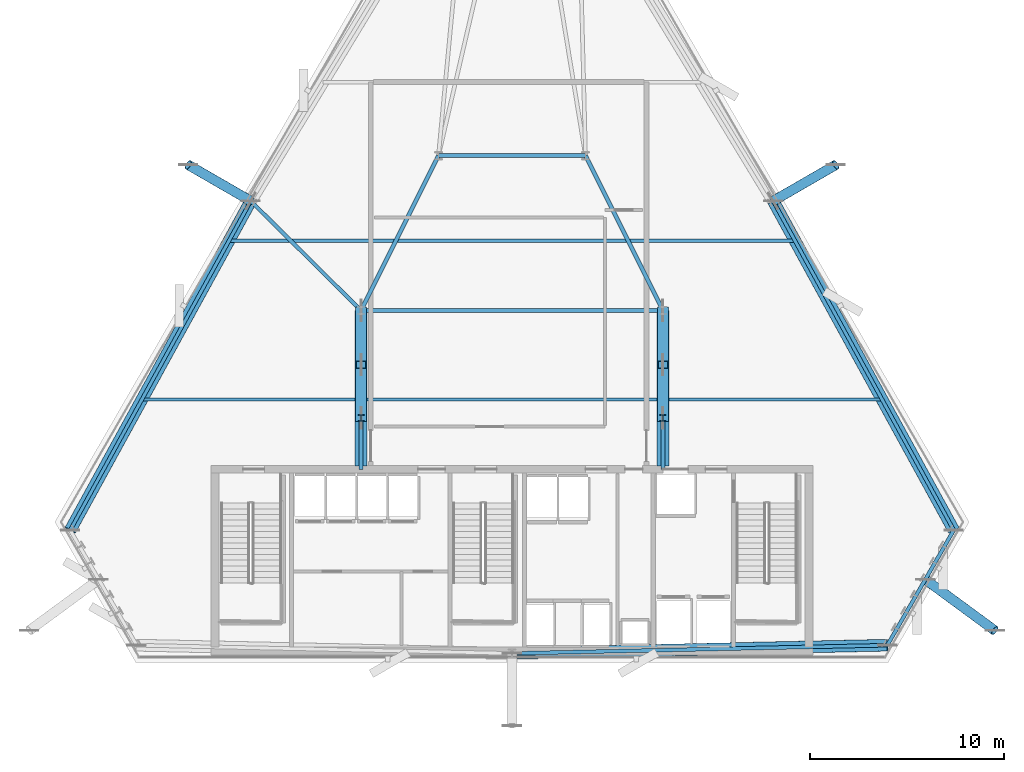
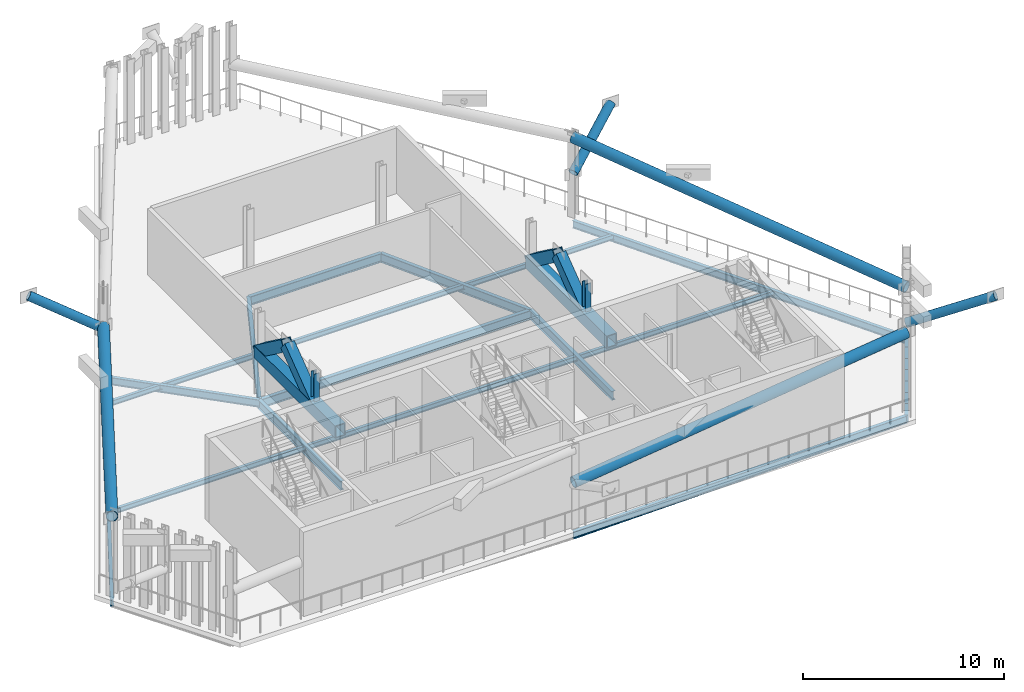
# One storey, part 2 of 11: 19 beams, 14 members.
"""IFC4 building model written with IfcOpenShell, lengths in metres."""

from ifc_helpers import new_model, si_unit, direction, frame, origin, origin_2d, place, context, subcontext, project, spatial, hollow_rectangle, hollow_circle, i_section, extrude, material, material_profile, profile_set, type_object, element, save


model = new_model("IFC4")

# Units and contexts
model_context = context("Model", 3, precision=1e-05, world=origin(), true_north=direction((0.0, 1.0)))
body_context = subcontext(model_context, "Body", "Model", "MODEL_VIEW")
ifc_project = project(units=[si_unit("LENGTHUNIT", "METRE"), si_unit("AREAUNIT", "SQUARE_METRE"), si_unit("VOLUMEUNIT", "CUBIC_METRE"), si_unit("PLANEANGLEUNIT", "RADIAN"), si_unit("MASSUNIT", "GRAM", prefix="KILO")], contexts=[model_context])

# Site, building, storey
site_placement = place(None, origin())
site = spatial("IfcSite", under=ifc_project, at=site_placement, CompositionType="ELEMENT")
building_placement = place(site_placement, origin())
building = spatial("IfcBuilding", under=site, at=building_placement, Name="Ndaravel Arena Tower", CompositionType="ELEMENT")
storey_placement = place(building_placement, frame((0.0, 0.0, 203.0)))
storey = spatial("IfcBuildingStorey", under=building, at=storey_placement, Name="L49", CompositionType="ELEMENT", Elevation=203.0)

# Beams
ifc_material_1 = material(Name="Steel S355", Category="steel")
ifc_material_profile_1 = material_profile(ifc_material_1, i_section(OverallWidth=0.19140625, OverallDepth=0.4599609375, WebThickness=0.010009765625, FlangeThickness=0.01611328125, FilletRadius=0.01025390625, at=origin_2d()), Name="UB 457x191x82")
ifc_profile_set_1 = profile_set([ifc_material_profile_1], Name="Steel S355")
beam_type_1 = type_object("IfcBeamType", Name="BM-GIRD-UB457", PredefinedType="BEAM", material=ifc_profile_set_1)
beam_1_placement = place(storey_placement, frame((28.502197265625, 28.858642578125, -0.510009765625), z_axis=(0.709534802511, -0.70467039389, 0.0), x_axis=(0.70467039389, 0.709534802511, 0.0)))
element("IfcBeam", 1, at=beam_1_placement, inside=storey, type_object=beam_type_1, Name="L49 Radial Floor Girder FG-19", PredefinedType="BEAM", context=body_context, shape_type="SweptSolid", body=[
    extrude(i_section(OverallWidth=0.19140625, OverallDepth=0.4599609375, WebThickness=0.010009765625, FlangeThickness=0.01611328125, FilletRadius=0.01025390625, at=origin_2d()), origin(), (0.0, 0.0, 1.0), 8.0302734375),
])
ifc_material_2 = material(Name="Steel S355", Category="steel")
ifc_material_profile_2 = material_profile(ifc_material_2, i_section(OverallWidth=0.210693359375, OverallDepth=0.53955078125, WebThickness=0.01171875, FlangeThickness=0.018798828125, FilletRadius=0.0126953125, at=origin_2d()), Name="UB 533x210x109")
ifc_profile_set_2 = profile_set([ifc_material_profile_2], Name="Steel S355")
beam_type_2 = type_object("IfcBeamType", Name="BM-GIRD-UB533", PredefinedType="BEAM", material=ifc_profile_set_2)
for number, where, z_axis, x_axis, name in (
    (2, (34.199951171875, 14.97998046875, -0.5498046875), (0.0, 1.0, 0.0), (-1.0, 0.0, 0.0), "L49 Spine Link Girder SLG-01"),
    (3, (49.800048828125, 14.97998046875, -0.5498046875), (0.0, 1.0, 0.0), (-1.0, 0.0, 0.0), "L49 Spine Link Girder SLG-02"),
):
    element("IfcBeam", number, at=place(storey_placement, frame(where, z_axis=z_axis, x_axis=x_axis)), inside=storey, type_object=beam_type_2, Name=name, PredefinedType="BEAM", context=body_context, shape_type="SweptSolid", body=[
        extrude(i_section(OverallWidth=0.210693359375, OverallDepth=0.53955078125, WebThickness=0.01171875, FlangeThickness=0.018798828125, FilletRadius=0.0126953125, at=origin_2d()), origin(), (0.0, 0.0, 1.0), 8.219970703125),
    ])
beam_2_placement = place(storey_placement, frame((34.199951171875, 23.199951171875, -0.5498046875), z_axis=(1.0, 0.0, 0.0), x_axis=(0.0, 1.0, 0.0)))
element("IfcBeam", 4, at=beam_2_placement, inside=storey, type_object=beam_type_2, Name="L49 Spine Link Girder SLG-03", PredefinedType="BEAM", context=body_context, shape_type="SweptSolid", body=[
    extrude(i_section(OverallWidth=0.210693359375, OverallDepth=0.53955078125, WebThickness=0.01171875, FlangeThickness=0.018798828125, FilletRadius=0.0126953125, at=origin_2d()), origin(), (0.0, 0.0, 1.0), 15.60009765625),
])
for number, where, z_axis, x_axis, name in (
    (5, (34.199951171875, 23.199951171875, -0.5498046875), (0.4472135955, 0.894427191, 0.0), (-0.894427191, 0.4472135955, 0.0), "L49 Spine Link Girder SLG-04"),
    (6, (49.800048828125, 23.199951171875, -0.5498046875), (-0.4472135955, 0.894427191, 0.0), (-0.894427191, -0.4472135955, 0.0), "L49 Spine Link Girder SLG-05"),
):
    element("IfcBeam", number, at=place(storey_placement, frame(where, z_axis=z_axis, x_axis=x_axis)), inside=storey, type_object=beam_type_2, Name=name, PredefinedType="BEAM", context=body_context, shape_type="SweptSolid", body=[
        extrude(i_section(OverallWidth=0.210693359375, OverallDepth=0.53955078125, WebThickness=0.01171875, FlangeThickness=0.018798828125, FilletRadius=0.0126953125, at=origin_2d()), origin(), (0.0, 0.0, 1.0), 8.9443359375),
    ])
beam_3_placement = place(storey_placement, frame((38.199951171875, 31.199951171875, -0.5498046875), z_axis=(1.0, 0.0, 0.0), x_axis=(0.0, 1.0, 0.0)))
element("IfcBeam", 7, at=beam_3_placement, inside=storey, type_object=beam_type_2, Name="L49 Spine Link Girder SLG-06", PredefinedType="BEAM", context=body_context, shape_type="SweptSolid", body=[
    extrude(i_section(OverallWidth=0.210693359375, OverallDepth=0.53955078125, WebThickness=0.01171875, FlangeThickness=0.018798828125, FilletRadius=0.0126953125, at=origin_2d()), origin(), (0.0, 0.0, 1.0), 7.60009765625),
])
ifc_material_3 = material(Name="Steel S355", Category="steel")
ifc_material_profile_3 = material_profile(ifc_material_3, i_section(OverallWidth=0.165771484375, OverallDepth=0.306640625, WebThickness=0.006591796875, FlangeThickness=0.01171875, FilletRadius=0.0087890625, at=origin_2d()), Name="UB 305x165x46")
ifc_profile_set_3 = profile_set([ifc_material_profile_3], Name="Steel S355")
beam_type_3 = type_object("IfcBeamType", Name="BM-JOIST-UB305", PredefinedType="JOIST", material=ifc_profile_set_3)
beam_4_placement = place(storey_placement, frame((22.875, 18.60009765625, -0.433349609375), z_axis=(1.0, 0.0, 0.0), x_axis=(0.0, 1.0, 0.0)))
element("IfcBeam", 8, at=beam_4_placement, inside=storey, type_object=beam_type_3, Name="L49 Composite Floor Joist FJ-01", PredefinedType="JOIST", context=body_context, shape_type="SweptSolid", body=[
    extrude(i_section(OverallWidth=0.165771484375, OverallDepth=0.306640625, WebThickness=0.006591796875, FlangeThickness=0.01171875, FilletRadius=0.0087890625, at=origin_2d()), origin(), (0.0, 0.0, 1.0), 38.25),
])
beam_5_placement = place(storey_placement, frame((27.373046875, 26.800048828125, -0.433349609375), z_axis=(1.0, 0.0, 0.0), x_axis=(0.0, 1.0, 0.0)))
element("IfcBeam", 9, at=beam_5_placement, inside=storey, type_object=beam_type_3, Name="L49 Composite Floor Joist FJ-02", PredefinedType="JOIST", context=body_context, shape_type="SweptSolid", body=[
    extrude(i_section(OverallWidth=0.165771484375, OverallDepth=0.306640625, WebThickness=0.006591796875, FlangeThickness=0.01171875, FilletRadius=0.0087890625, at=origin_2d()), origin(), (0.0, 0.0, 1.0), 29.25390625),
])
ifc_material_4 = material(Name="Steel S355", Category="steel")
ifc_material_profile_4 = material_profile(ifc_material_4, i_section(OverallWidth=0.18994140625, OverallDepth=0.449951171875, WebThickness=0.009521484375, FlangeThickness=0.0146484375, FilletRadius=0.02099609375, at=origin_2d()), Name="IPE 450")
ifc_profile_set_4 = profile_set([ifc_material_profile_4], Name="Steel S355")
beam_type_4 = type_object("IfcBeamType", Name="BM-SPAN-IPE450", PredefinedType="SPANDREL", material=ifc_profile_set_4)
beam_6_placement = place(storey_placement, frame((42.0, 5.47998046875, -0.5048828125), z_axis=(0.99976055023, 0.021882463365, 0.0), x_axis=(-0.021882463365, 0.99976055023, 0.0)))
element("IfcBeam", 10, at=beam_6_placement, inside=storey, type_object=beam_type_4, Name="L49 Perimeter Spandrel Beam SP-01", PredefinedType="SPANDREL", context=body_context, shape_type="SweptSolid", body=[
    extrude(i_section(OverallWidth=0.18994140625, OverallDepth=0.449951171875, WebThickness=0.009521484375, FlangeThickness=0.0146484375, FilletRadius=0.02099609375, at=origin_2d()), origin(), (0.0, 0.0, 1.0), 19.40185546875),
])
for number, where, z_axis, x_axis, name in (
    (11, (61.397216796875, 5.904541015625, -0.5048828125), (0.499808686542, 0.866135830489, 0.0), (-0.866135830489, 0.499808686542, 0.0), "L49 Perimeter Spandrel Beam SP-02"),
    (12, (61.88720703125, 6.753662109375, -0.5048828125), (0.499995473844, 0.866028016946, 0.0), (-0.866028016946, 0.499995473844, 0.0), "L49 Perimeter Spandrel Beam SP-03"),
    (13, (62.37744140625, 7.602783203125, -0.5048828125), (0.499995473844, 0.866028016946, 0.0), (-0.866028016946, 0.499995473844, 0.0), "L49 Perimeter Spandrel Beam SP-04"),
):
    element("IfcBeam", number, at=place(storey_placement, frame(where, z_axis=z_axis, x_axis=x_axis)), inside=storey, type_object=beam_type_4, Name=name, PredefinedType="SPANDREL", context=body_context, shape_type="SweptSolid", body=[
        extrude(i_section(OverallWidth=0.18994140625, OverallDepth=0.449951171875, WebThickness=0.009521484375, FlangeThickness=0.0146484375, FilletRadius=0.02099609375, at=origin_2d()), origin(), (0.0, 0.0, 1.0), 0.98046875),
    ])
beam_7_placement = place(storey_placement, frame((62.86767578125, 8.451904296875, -0.5048828125), z_axis=(0.500103313483, 0.8659657475, 0.0), x_axis=(-0.8659657475, 0.500103313483, 0.0)))
element("IfcBeam", 14, at=beam_7_placement, inside=storey, type_object=beam_type_4, Name="L49 Perimeter Spandrel Beam SP-05", PredefinedType="SPANDREL", context=body_context, shape_type="SweptSolid", body=[
    extrude(i_section(OverallWidth=0.18994140625, OverallDepth=0.449951171875, WebThickness=0.009521484375, FlangeThickness=0.0146484375, FilletRadius=0.02099609375, at=origin_2d()), origin(), (0.0, 0.0, 1.0), 0.980224609375),
])
for number, where, z_axis, x_axis, name in (
    (15, (63.35791015625, 9.30078125, -0.5048828125), (0.499995473844, 0.866028016946, 0.0), (-0.866028016946, 0.499995473844, 0.0), "L49 Perimeter Spandrel Beam SP-06"),
    (16, (63.84814453125, 10.14990234375, -0.5048828125), (0.499995473844, 0.866028016946, 0.0), (-0.866028016946, 0.499995473844, 0.0), "L49 Perimeter Spandrel Beam SP-07"),
    (17, (64.33837890625, 10.9990234375, -0.5048828125), (0.499995473844, 0.866028016946, 0.0), (-0.866028016946, 0.499995473844, 0.0), "L49 Perimeter Spandrel Beam SP-08"),
):
    element("IfcBeam", number, at=place(storey_placement, frame(where, z_axis=z_axis, x_axis=x_axis)), inside=storey, type_object=beam_type_4, Name=name, PredefinedType="SPANDREL", context=body_context, shape_type="SweptSolid", body=[
        extrude(i_section(OverallWidth=0.18994140625, OverallDepth=0.449951171875, WebThickness=0.009521484375, FlangeThickness=0.0146484375, FilletRadius=0.02099609375, at=origin_2d()), origin(), (0.0, 0.0, 1.0), 0.98046875),
    ])
for number, where, z_axis, x_axis, name in (
    (18, (64.82861328125, 11.84814453125, -0.5048828125), (-0.480930598805, 0.876758666415, 0.0), (-0.876758666415, -0.480930598805, 0.0), "L49 Perimeter Spandrel Beam SP-09"),
    (19, (28.502197265625, 28.858642578125, -0.5048828125), (-0.480930598805, -0.876758666415, 0.0), (0.876758666415, -0.480930598805, 0.0), "L49 Perimeter Spandrel Beam SP-19"),
):
    element("IfcBeam", number, at=place(storey_placement, frame(where, z_axis=z_axis, x_axis=x_axis)), inside=storey, type_object=beam_type_4, Name=name, PredefinedType="SPANDREL", context=body_context, shape_type="SweptSolid", body=[
        extrude(i_section(OverallWidth=0.18994140625, OverallDepth=0.449951171875, WebThickness=0.009521484375, FlangeThickness=0.0146484375, FilletRadius=0.02099609375, at=origin_2d()), origin(), (0.0, 0.0, 1.0), 19.401611328125),
    ])

# Members
ifc_material_5 = material(Name="Steel S460", Category="steel")
ifc_material_profile_5 = material_profile(ifc_material_5, hollow_circle(Radius=0.304931640625, WallThickness=0.030029296875, at=origin_2d()), Name="CHS 610x30")
ifc_profile_set_5 = profile_set([ifc_material_profile_5], Name="Steel S460")
member_type_1 = type_object("IfcMemberType", Name="MEM-BT-DIAG1", PredefinedType="BRACE", material=ifc_profile_set_5)
member_1_placement = place(storey_placement, frame((42.0, 5.47998046875, 2.679931640625), z_axis=(0.994172182073, 0.021760146815, 0.105584887192), x_axis=(-0.021882463365, 0.99976055023, 0.0)))
element("IfcMember", 20, at=member_1_placement, inside=storey, type_object=member_type_1, Name="Belt Truss BT-2 Diagonal 01", PredefinedType="BRACE", context=body_context, shape_type="SweptSolid", body=[
    extrude(hollow_circle(Radius=0.304931640625, WallThickness=0.030029296875, at=origin_2d()), origin(), (0.0, 0.0, 1.0), 19.510986328125),
])
for number, where, z_axis, x_axis, name in (
    (21, (64.82861328125, 11.84814453125, 2.679931640625), (-0.478242258527, 0.871857698078, 0.105586440709), (-0.876758666415, -0.480930598805, 0.0), "Belt Truss BT-2 Diagonal 09"),
    (22, (28.502197265625, 28.858642578125, 2.679931640625), (-0.478242258527, -0.871857698078, 0.105586440709), (0.876758666415, -0.480930598805, 0.0), "Belt Truss BT-2 Diagonal 19"),
):
    element("IfcMember", number, at=place(storey_placement, frame(where, z_axis=z_axis, x_axis=x_axis)), inside=storey, type_object=member_type_1, Name=name, PredefinedType="BRACE", context=body_context, shape_type="SweptSolid", body=[
        extrude(hollow_circle(Radius=0.304931640625, WallThickness=0.030029296875, at=origin_2d()), origin(), (0.0, 0.0, 1.0), 19.5107421875),
    ])
ifc_material_6 = material(Name="Steel S460", Category="steel")
ifc_material_profile_6 = material_profile(ifc_material_6, hollow_rectangle(XDim=0.60009765625, YDim=0.75, WallThickness=0.044921875, at=origin_2d()), Name="BOX 750x600x45")
ifc_profile_set_6 = profile_set([ifc_material_profile_6], Name="Steel S460")
member_type_2 = type_object("IfcMemberType", Name="MEM-OT-CHORD", PredefinedType="CHORD", material=ifc_profile_set_6)
for number, where, z_axis, x_axis, name in (
    (23, (34.199951171875, 15.159912109375, 2.679931640625), (0.0, 1.0, 0.0), (-1.0, 0.0, 0.0), "Outrigger Truss OT-2.1 Bottom Chord"),
    (24, (49.800048828125, 15.159912109375, 2.679931640625), (0.0, 1.0, 0.0), (-1.0, 0.0, 0.0), "Outrigger Truss OT-2.2 Bottom Chord"),
):
    element("IfcMember", number, at=place(storey_placement, frame(where, z_axis=z_axis, x_axis=x_axis)), inside=storey, type_object=member_type_2, Name=name, PredefinedType="CHORD", context=body_context, shape_type="SweptSolid", body=[
        extrude(hollow_rectangle(XDim=0.60009765625, YDim=0.75, WallThickness=0.044921875, at=origin_2d()), origin(), (0.0, 0.0, 1.0), 8.0400390625),
    ])
ifc_material_7 = material(Name="Steel S460", Category="steel")
ifc_material_profile_7 = material_profile(ifc_material_7, hollow_rectangle(XDim=0.550048828125, YDim=0.64990234375, WallThickness=0.0400390625, at=origin_2d()), Name="BOX 650x550x40")
ifc_profile_set_7 = profile_set([ifc_material_profile_7], Name="Steel S460")
member_type_3 = type_object("IfcMemberType", Name="MEM-OT-DIAG", PredefinedType="BRACE", material=ifc_profile_set_7)
member_2_placement = place(storey_placement, frame((34.199951171875, 17.64990234375, 2.679931640625), z_axis=(0.0, 0.800340925129, 0.599545163906), x_axis=(-1.0, 0.0, 0.0)))
element("IfcMember", 25, at=member_2_placement, inside=storey, type_object=member_type_3, Name="Outrigger Truss OT-2.1 Diagonal 1", PredefinedType="BRACE", context=body_context, shape_type="SweptSolid", body=[
    extrude(hollow_rectangle(XDim=0.550048828125, YDim=0.64990234375, WallThickness=0.0400390625, at=origin_2d()), origin(), (0.0, 0.0, 1.0), 3.43603515625),
])
member_3_placement = place(storey_placement, frame((34.199951171875, 20.39990234375, 4.739990234375), z_axis=(0.0, 0.80548634539, -0.592614332758), x_axis=(-1.0, 0.0, 0.0)))
element("IfcMember", 26, at=member_3_placement, inside=storey, type_object=member_type_3, Name="Outrigger Truss OT-2.1 Diagonal 2", PredefinedType="BRACE", context=body_context, shape_type="SweptSolid", body=[
    extrude(hollow_rectangle(XDim=0.550048828125, YDim=0.64990234375, WallThickness=0.0400390625, at=origin_2d()), origin(), (0.0, 0.0, 1.0), 3.476318359375),
])
member_4_placement = place(storey_placement, frame((49.800048828125, 17.64990234375, 2.679931640625), z_axis=(0.0, 0.800340925129, 0.599545163906), x_axis=(-1.0, 0.0, 0.0)))
element("IfcMember", 27, at=member_4_placement, inside=storey, type_object=member_type_3, Name="Outrigger Truss OT-2.2 Diagonal 1", PredefinedType="BRACE", context=body_context, shape_type="SweptSolid", body=[
    extrude(hollow_rectangle(XDim=0.550048828125, YDim=0.64990234375, WallThickness=0.0400390625, at=origin_2d()), origin(), (0.0, 0.0, 1.0), 3.43603515625),
])
member_5_placement = place(storey_placement, frame((49.800048828125, 20.39990234375, 4.739990234375), z_axis=(0.0, 0.80548634539, -0.592614332758), x_axis=(-1.0, 0.0, 0.0)))
element("IfcMember", 28, at=member_5_placement, inside=storey, type_object=member_type_3, Name="Outrigger Truss OT-2.2 Diagonal 2", PredefinedType="BRACE", context=body_context, shape_type="SweptSolid", body=[
    extrude(hollow_rectangle(XDim=0.550048828125, YDim=0.64990234375, WallThickness=0.0400390625, at=origin_2d()), origin(), (0.0, 0.0, 1.0), 3.476318359375),
])
ifc_material_8 = material(Name="Steel S460", Category="steel")
ifc_material_profile_8 = material_profile(ifc_material_8, i_section(OverallWidth=0.314453125, OverallDepth=0.33984375, WebThickness=0.01904296875, FlangeThickness=0.031494140625, FilletRadius=0.01513671875, at=origin_2d()), Name="UC 305x305x198")
ifc_profile_set_8 = profile_set([ifc_material_profile_8], Name="Steel S460")
member_type_4 = type_object("IfcMemberType", Name="MEM-OT-POST", PredefinedType="POST", material=ifc_profile_set_8)
for number, where, z_axis, x_axis, name in (
    (29, (34.199951171875, 17.64990234375, 2.679931640625), (0.0, 0.0, 1.0), (1.0, 0.0, 0.0), "Outrigger Truss OT-2.1 King Post"),
    (30, (49.800048828125, 17.64990234375, 2.679931640625), (0.0, 0.0, 1.0), (1.0, 0.0, 0.0), "Outrigger Truss OT-2.2 King Post"),
):
    element("IfcMember", number, at=place(storey_placement, frame(where, z_axis=z_axis, x_axis=x_axis)), inside=storey, type_object=member_type_4, Name=name, PredefinedType="POST", context=body_context, shape_type="SweptSolid", body=[
        extrude(i_section(OverallWidth=0.314453125, OverallDepth=0.33984375, WebThickness=0.01904296875, FlangeThickness=0.031494140625, FilletRadius=0.01513671875, at=origin_2d()), origin(), (0.0, 0.0, 1.0), 2.06005859375),
    ])
ifc_material_9 = material(Name="Steel S460", Category="steel")
ifc_material_profile_9 = material_profile(ifc_material_9, hollow_circle(Radius=0.25390625, WallThickness=0.02490234375, at=origin_2d()), Name="CHS 508x25")
ifc_profile_set_9 = profile_set([ifc_material_profile_9], Name="Steel S460")
member_type_5 = type_object("IfcMemberType", Name="MEM-STAR-STRUT1", PredefinedType="STRUT", material=ifc_profile_set_9)
member_6_placement = place(storey_placement, frame((63.35791015625, 9.30078125, 2.580078125), z_axis=(0.735775395247, -0.540752399593, 0.407702600045), x_axis=(0.592206385417, 0.805786322217, 0.0)))
element("IfcMember", 31, at=member_6_placement, inside=storey, type_object=member_type_5, Name="L50 Star Soffit Raking Strut SS-3", PredefinedType="STRUT", context=body_context, shape_type="SweptSolid", body=[
    extrude(hollow_circle(Radius=0.25390625, WallThickness=0.02490234375, at=origin_2d()), origin(), (0.0, 0.0, 1.0), 4.881103515625),
])
for number, where, z_axis, x_axis, name in (
    (32, (55.497802734375, 28.858642578125, 2.580078125), (0.764055986488, 0.441165811095, 0.47073472002), (-0.500032201883, 0.86600681122, 0.0), "L50 Star Soffit Raking Strut SS-4"),
    (33, (28.502197265625, 28.858642578125, 2.580078125), (-0.764055986488, 0.441165811095, 0.47073472002), (-0.500032201883, -0.86600681122, 0.0), "L50 Star Soffit Raking Strut SS-6"),
):
    element("IfcMember", number, at=place(storey_placement, frame(where, z_axis=z_axis, x_axis=x_axis)), inside=storey, type_object=member_type_5, Name=name, PredefinedType="STRUT", context=body_context, shape_type="SweptSolid", body=[
        extrude(hollow_circle(Radius=0.25390625, WallThickness=0.02490234375, at=origin_2d()), origin(), (0.0, 0.0, 1.0), 4.227294921875),
    ])

save(model, "model.ifc")
